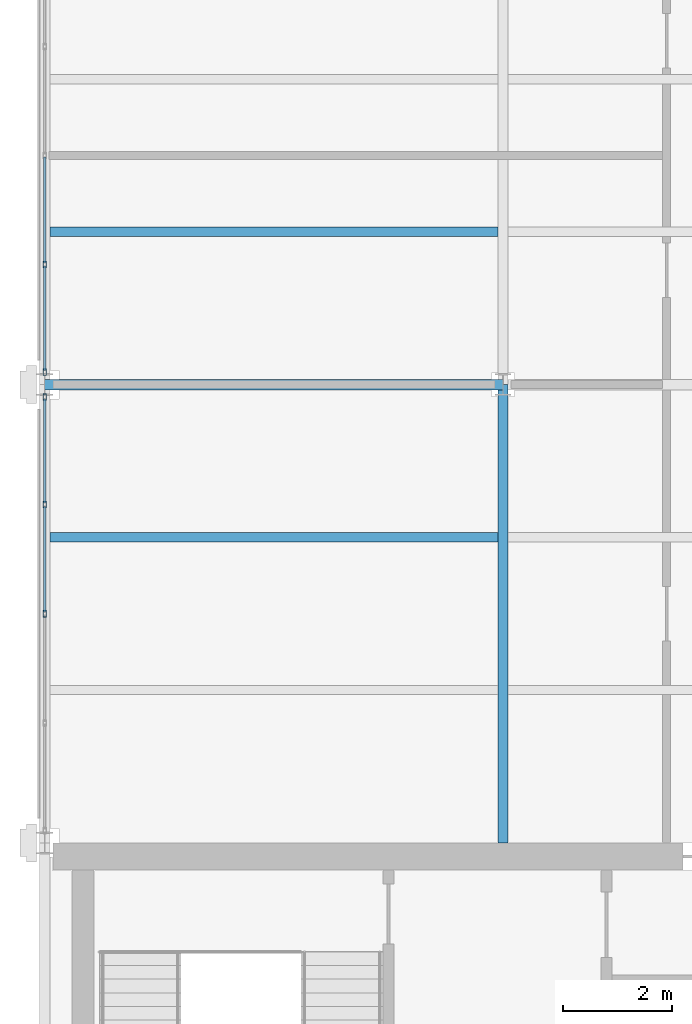
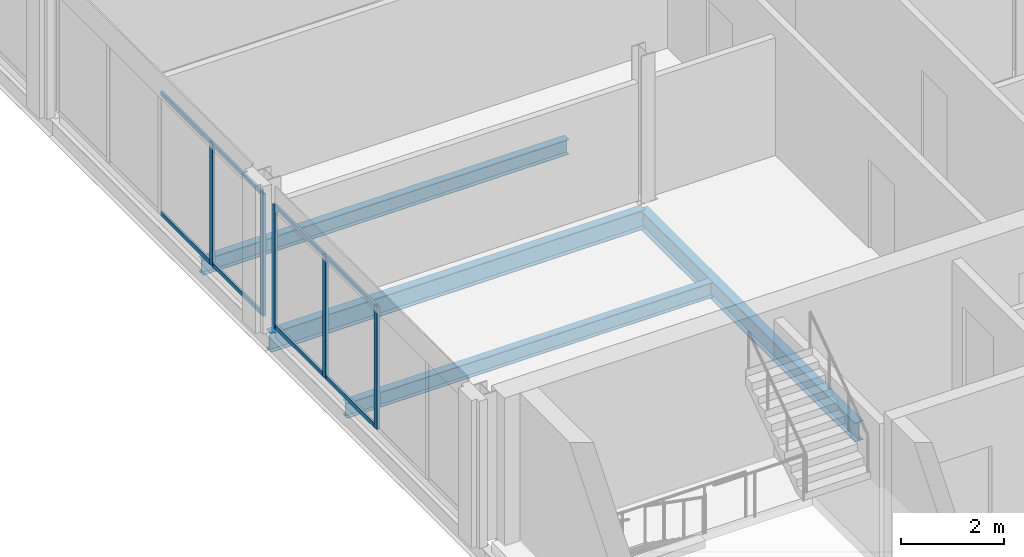
# One storey, part 6 of 32: 13 members, 4 beams, 2 elements without a shape of their own.
"""IFC4 building model written with IfcOpenShell, lengths in metres."""

import ifcopenshell
import ifcopenshell.guid

model = None  # the IFC model being written
_history = None  # IfcOwnerHistory: only IFC2X3 demands one
_inside = {}  # id of a spatial element -> (the spatial element, [elements in it])
_under = {}  # id of a project, library or spatial element -> (it, [spatial elements below it])
_declared = {}  # id of a project -> (the project, [libraries it declares])
_typed = {}  # id of a type object -> (the type object, [elements of that type])
_made_of = {}  # id of a material, layer set ... -> (it, [elements and type objects made of it])


def new_model(schema):
    """Start an empty IFC model of exactly this schema.

    Asked for "IFC4X3", IfcOpenShell would pick the latest addendum, in which some entities
    have other attributes; the version numbers below select the first issue.
    IFC2X3 requires an IfcOwnerHistory on every rooted entity: one is made here for all.
    """
    global model, _history
    if schema == "IFC4X3":
        model = ifcopenshell.file(schema_version=(4, 3, 0, 0))
    else:
        model = ifcopenshell.file(schema=schema)
    _inside.clear()
    _under.clear()
    _declared.clear()
    _typed.clear()
    _made_of.clear()
    _history = None
    if model.schema == "IFC2X3":
        org = make("IfcOrganization", Name="unknown")
        user = make(
            "IfcPersonAndOrganization",
            ThePerson=make("IfcPerson", FamilyName="unknown"),
            TheOrganization=org,
        )
        app = make(
            "IfcApplication",
            ApplicationDeveloper=org,
            Version="unknown",
            ApplicationFullName="unknown",
            ApplicationIdentifier="unknown",
        )
        _history = make(
            "IfcOwnerHistory",
            OwningUser=user,
            OwningApplication=app,
            ChangeAction="ADDED",
            CreationDate=0,
        )
    return model


def make(cls, **values):
    """One entity of the class cls with the attributes given. An attribute that is None is left unset."""
    return model.create_entity(
        cls, **{name: value for name, value in values.items() if value is not None}
    )


def rooted(cls, **values):
    """An entity with a GlobalId (a new one), such as an element, a storey or a relation."""
    return make(cls, GlobalId=ifcopenshell.guid.new(), OwnerHistory=_history, **values)


def si_unit(unit_type, name, prefix=None):
    """IfcSIUnit, for example si_unit("LENGTHUNIT", "METRE", prefix="MILLI")."""
    return make("IfcSIUnit", UnitType=unit_type, Prefix=prefix, Name=name)


def assignment(units):
    """IfcUnitAssignment: the units of a project."""
    return None if units is None else make("IfcUnitAssignment", Units=units)


def point(xyz):
    """IfcCartesianPoint."""
    return None if xyz is None else make("IfcCartesianPoint", Coordinates=xyz)


def direction(xyz):
    """IfcDirection."""
    return None if xyz is None else make("IfcDirection", DirectionRatios=xyz)


def frame(location, z_axis=None, x_axis=None):
    """IfcAxis2Placement3D, a coordinate frame: its origin and axes. An axis left out is left unset."""
    return make(
        "IfcAxis2Placement3D",
        Location=point(location),
        Axis=direction(z_axis),
        RefDirection=direction(x_axis),
    )


def frame_2d(location, x_axis=None):
    """IfcAxis2Placement2D, a coordinate frame in the plane: its origin and x axis."""
    return make(
        "IfcAxis2Placement2D", Location=point(location), RefDirection=direction(x_axis)
    )


def origin():
    """The frame at (0, 0, 0) with its axes left unset."""
    return frame((0.0, 0.0, 0.0))


def origin_2d():
    """The frame at (0, 0) in the plane with its x axis left unset."""
    return frame_2d((0.0, 0.0))


def place(relative_to, where):
    """IfcLocalPlacement: puts the frame where relative to a parent placement (None: the world)."""
    return make(
        "IfcLocalPlacement", PlacementRelTo=relative_to, RelativePlacement=where
    )


def context(
    kind, dimensions, precision=None, world=None, true_north=None, identifier=None
):
    """IfcGeometricRepresentationContext, for example the 3D "Model" context."""
    return make(
        "IfcGeometricRepresentationContext",
        ContextIdentifier=identifier,
        ContextType=kind,
        CoordinateSpaceDimension=dimensions,
        Precision=precision,
        WorldCoordinateSystem=world,
        TrueNorth=true_north,
    )


def subcontext(parent, identifier, kind, view, scale=None):
    """IfcGeometricRepresentationSubContext, for example "Body" below "Model"."""
    return make(
        "IfcGeometricRepresentationSubContext",
        ContextIdentifier=identifier,
        ContextType=kind,
        ParentContext=parent,
        TargetScale=scale,
        TargetView=view,
    )


def project(units=None, contexts=None):
    """IfcProject with its units and contexts."""
    return rooted(
        "IfcProject",
        Name="project",
        RepresentationContexts=contexts,
        UnitsInContext=assignment(units),
    )


def spatial(cls, under=None, at=None, **own):
    """A site, building, storey or space (cls), placed at a placement, below another one or the project."""
    s = rooted(cls, ObjectPlacement=at, **own)
    if under is not None:
        _under.setdefault(under.id(), (under, []))[1].append(s)
    return s


def profile(cls, at=None, kind="AREA", **sizes):
    """A parametric profile (cls). Its sizes go by their IFC names, for example OverallWidth=200.0."""
    return make(cls, ProfileType=kind, Position=at, **sizes)


def hollow_rectangle(**sizes):
    """IfcRectangleHollowProfileDef."""
    return profile("IfcRectangleHollowProfileDef", **sizes)


def i_section(**sizes):
    """IfcIShapeProfileDef."""
    return profile("IfcIShapeProfileDef", **sizes)


def extrude(swept, where, along, depth):
    """IfcExtrudedAreaSolid: the profile swept, set in the frame where, extruded along a direction by depth."""
    return make(
        "IfcExtrudedAreaSolid",
        SweptArea=swept,
        Position=where,
        ExtrudedDirection=direction(along),
        Depth=depth,
    )


def shape(context_of_items, identifier, shape_type, items):
    """IfcShapeRepresentation: the items that make up one representation, for example the "Body"."""
    return make(
        "IfcShapeRepresentation",
        ContextOfItems=context_of_items,
        RepresentationIdentifier=identifier,
        RepresentationType=shape_type,
        Items=items,
    )


def material(Name=None, Category=None):
    """IfcMaterial."""
    return make("IfcMaterial", Name=Name, Category=Category)


def material_profile(
    of_material, cross_section, Name=None, Category=None, Priority=None
):
    """IfcMaterialProfile: a cross section and its material."""
    return make(
        "IfcMaterialProfile",
        Name=Name,
        Material=of_material,
        Profile=cross_section,
        Priority=Priority,
        Category=Category,
    )


def profile_set(profiles, Name=None, composite=None):
    """IfcMaterialProfileSet."""
    return make(
        "IfcMaterialProfileSet",
        Name=Name,
        MaterialProfiles=profiles,
        CompositeProfile=composite,
    )


def made_of(thing, what):
    """Note that an element or type object is made of a material, layer set ...; save() writes the relation."""
    if what is not None:
        _made_of.setdefault(what.id(), (what, []))[1].append(thing)
    return thing


def type_object(cls, material=None, **own):
    """A type object (cls), such as IfcWallType, which elements share."""
    return made_of(rooted(cls, **own), material)


def element(
    cls,
    number,
    at=None,
    inside=None,
    cuts=None,
    type_object=None,
    material=None,
    context=None,
    identifier="Body",
    shape_type=None,
    held_by="IfcProductDefinitionShape",
    body=None,
    shapes=None,
    **own,
):
    """One element of the class cls, such as IfcWall. Its Tag is "e" and its number.

    at: its placement. inside: the storey or other place that contains it. cuts: it is an
    opening in that element (IfcRelVoidsElement). A single representation is given by context,
    identifier, shape_type and body (its items); several are given by shapes. held_by: the class
    of the entity that holds the representations. save() writes the other relations.
    """
    e = rooted(cls, Tag="e%d" % number, ObjectPlacement=at, **own)
    if body is not None:
        shapes = [shape(context, identifier, shape_type, body)]
    if shapes is not None:
        e.Representation = make(held_by, Representations=shapes)
    if inside is not None:
        _inside.setdefault(inside.id(), (inside, []))[1].append(e)
    if cuts is not None:
        rooted(
            "IfcRelVoidsElement", RelatingBuildingElement=cuts, RelatedOpeningElement=e
        )
    if type_object is not None:
        _typed.setdefault(type_object.id(), (type_object, []))[1].append(e)
    return made_of(e, material)


def aggregate(whole, parts):
    """IfcRelAggregates: a whole, such as a stair, and the parts it consists of."""
    return rooted("IfcRelAggregates", RelatingObject=whole, RelatedObjects=parts)


def save(model, path):
    """Write the relations noted so far, then the file.

    IfcRelAggregates (storeys below a building ...), IfcRelContainedInSpatialStructure (elements
    in a storey), IfcRelDefinesByType, IfcRelAssociatesMaterial and IfcRelDeclares: one each for
    every whole, place, type object, material and project.
    """
    for whole, parts in _under.values():
        aggregate(whole, parts)
    for where, things in _inside.values():
        rooted(
            "IfcRelContainedInSpatialStructure",
            RelatedElements=things,
            RelatingStructure=where,
        )
    for kind, things in _typed.values():
        rooted("IfcRelDefinesByType", RelatedObjects=things, RelatingType=kind)
    for what, things in _made_of.values():
        rooted("IfcRelAssociatesMaterial", RelatedObjects=things, RelatingMaterial=what)
    for by, libraries in _declared.values():
        rooted("IfcRelDeclares", RelatingContext=by, RelatedDefinitions=libraries)
    model.write(path)


model = new_model("IFC4")

# Units and contexts
model_context = context("Model", 3, precision=1e-05, world=origin(), true_north=direction((0.0, 1.0)))
body_context = subcontext(model_context, "Body", "Model", "MODEL_VIEW")
ifc_project = project(units=[si_unit("LENGTHUNIT", "METRE"), si_unit("AREAUNIT", "SQUARE_METRE"), si_unit("VOLUMEUNIT", "CUBIC_METRE"), si_unit("PLANEANGLEUNIT", "RADIAN"), si_unit("MASSUNIT", "GRAM", prefix="KILO")], contexts=[model_context])

# Site, building, storey
site_placement = place(None, origin())
site = spatial("IfcSite", under=ifc_project, at=site_placement, CompositionType="ELEMENT")
building_placement = place(site_placement, origin())
building = spatial("IfcBuilding", under=site, at=building_placement, Name="Catenary Quay Ferry Terminal", CompositionType="ELEMENT")
storey_placement = place(building_placement, frame((0.0, 0.0, 17.10009765625)))
storey = spatial("IfcBuildingStorey", under=building, at=storey_placement, Name="L03", CompositionType="ELEMENT", Elevation=17.10009765625)

# Beams
ifc_material_1 = material(Name="Steel S355", Category="steel")
ifc_material_profile_1 = material_profile(ifc_material_1, i_section(OverallWidth=0.18994140625, OverallDepth=0.453369140625, WebThickness=0.008544921875, FlangeThickness=0.0126953125, at=origin_2d()), Name="UB 457x191x67")
ifc_profile_set_1 = profile_set([ifc_material_profile_1], Name="Steel S355")
beam_type_1 = type_object("IfcBeamType", Name="B1 UB 457x191x67", PredefinedType="BEAM", material=ifc_profile_set_1)
beam_1_placement = place(storey_placement, frame((25.199951171875, 176.39990234375, -0.47705078125), z_axis=(1.0, 0.0, 0.0), x_axis=(0.0, 1.0, 0.0)))
element("IfcBeam", 1, at=beam_1_placement, inside=storey, type_object=beam_type_1, Name="Beam B1-001", PredefinedType="BEAM", context=body_context, shape_type="SweptSolid", body=[
    extrude(i_section(OverallWidth=0.18994140625, OverallDepth=0.453369140625, WebThickness=0.008544921875, FlangeThickness=0.0126953125, at=origin_2d()), origin(), (0.0, 0.0, 1.0), 8.400146484375),
])
beam_2_placement = place(storey_placement, frame((33.60009765625, 168.0, -0.47705078125), z_axis=(0.0, 1.0, 0.0), x_axis=(-1.0, 0.0, 0.0)))
element("IfcBeam", 2, at=beam_2_placement, inside=storey, type_object=beam_type_1, Name="Beam B1-022", PredefinedType="BEAM", context=body_context, shape_type="SweptSolid", body=[
    extrude(i_section(OverallWidth=0.18994140625, OverallDepth=0.453369140625, WebThickness=0.008544921875, FlangeThickness=0.0126953125, at=origin_2d()), origin(), (0.0, 0.0, 1.0), 8.39990234375),
])
ifc_material_2 = material(Name="Steel S355", Category="steel")
ifc_material_profile_2 = material_profile(ifc_material_2, i_section(OverallWidth=0.169921875, OverallDepth=0.360107421875, WebThickness=0.008056640625, FlangeThickness=0.0126953125, at=origin_2d()), Name="IPE 360")
ifc_profile_set_2 = profile_set([ifc_material_profile_2], Name="Steel S355")
beam_type_2 = type_object("IfcBeamType", Name="B7 IPE 360", PredefinedType="BEAM", material=ifc_profile_set_2)
for number, where, z_axis, x_axis, name in (
    (3, (25.294921875, 173.60009765625, -0.43017578125), (1.0, 0.0, 0.0), (0.0, 1.0, 0.0), "Beam B7-028"),
    (4, (25.294921875, 179.199951171875, -0.43017578125), (1.0, 0.0, 0.0), (0.0, 1.0, 0.0), "Beam B7-031"),
):
    element("IfcBeam", number, at=place(storey_placement, frame(where, z_axis=z_axis, x_axis=x_axis)), inside=storey, type_object=beam_type_2, Name=name, PredefinedType="BEAM", context=body_context, shape_type="SweptSolid", body=[
        extrude(i_section(OverallWidth=0.169921875, OverallDepth=0.360107421875, WebThickness=0.008056640625, FlangeThickness=0.0126953125, at=origin_2d()), origin(), (0.0, 0.0, 1.0), 8.2099609375),
    ])

# Curtain wall, members
ifc_material_3 = material(Name="Aluminium and glass", Category="aluminium")
curtain_wall_type = type_object("IfcCurtainWallType", Name="CWW3", PredefinedType="NOTDEFINED", material=ifc_material_3)
curtain_wall_1_placement = place(storey_placement, origin())
curtain_wall_1 = element("IfcCurtainWall", 5, at=curtain_wall_1_placement, inside=storey, type_object=curtain_wall_type, Name="Wing curtain wall CW150", PredefinedType="NOTDEFINED")
ifc_material_4 = material(Name="Aluminium", Category="aluminium")
ifc_material_profile_3 = material_profile(ifc_material_4, hollow_rectangle(XDim=0.06005859375, YDim=0.1201171875, WallThickness=0.0048828125, at=origin_2d()), Name="MU4")
ifc_profile_set_3 = profile_set([ifc_material_profile_3], Name="Aluminium")
member_type_1 = type_object("IfcMemberType", Name="MU4", PredefinedType="MULLION", material=ifc_profile_set_3)
member_1_placement = place(storey_placement, frame((25.199951171875, 172.199951171875, 0.0), z_axis=(0.0, 0.0, 1.0), x_axis=(-1.0, 0.0, 0.0)))
member_1 = element("IfcMember", 6, at=member_1_placement, type_object=member_type_1, Name="CW150 mullion 3", PredefinedType="MULLION", context=body_context, shape_type="SweptSolid", body=[
    extrude(hollow_rectangle(XDim=0.06005859375, YDim=0.1201171875, WallThickness=0.0048828125, at=origin_2d()), origin(), (0.0, 0.0, 1.0), 2.89990234375),
])
member_2_placement = place(storey_placement, frame((25.199951171875, 174.199951171875, 0.0), z_axis=(0.0, 0.0, 1.0), x_axis=(-1.0, 0.0, 0.0)))
member_2 = element("IfcMember", 7, at=member_2_placement, type_object=member_type_1, Name="CW150 mullion 4", PredefinedType="MULLION", context=body_context, shape_type="SweptSolid", body=[
    extrude(hollow_rectangle(XDim=0.06005859375, YDim=0.1201171875, WallThickness=0.0048828125, at=origin_2d()), origin(), (0.0, 0.0, 1.0), 2.89990234375),
])
member_3_placement = place(storey_placement, frame((25.199951171875, 176.169921875, 0.0), z_axis=(0.0, 0.0, 1.0), x_axis=(-1.0, 0.0, 0.0)))
member_3 = element("IfcMember", 8, at=member_3_placement, type_object=member_type_1, Name="CW150 mullion 5", PredefinedType="MULLION", context=body_context, shape_type="SweptSolid", body=[
    extrude(hollow_rectangle(XDim=0.06005859375, YDim=0.1201171875, WallThickness=0.0048828125, at=origin_2d()), origin(), (0.0, 0.0, 1.0), 2.89990234375),
])

curtain_wall_2_placement = place(storey_placement, origin())
curtain_wall_2 = element("IfcCurtainWall", 9, at=curtain_wall_2_placement, inside=storey, type_object=curtain_wall_type, Name="Wing curtain wall CW151", PredefinedType="NOTDEFINED")
member_4_placement = place(storey_placement, frame((25.199951171875, 176.6298828125, 0.0), z_axis=(0.0, 0.0, 1.0), x_axis=(-1.0, 0.0, 0.0)))
member_4 = element("IfcMember", 10, at=member_4_placement, type_object=member_type_1, Name="CW151 mullion 1", PredefinedType="MULLION", context=body_context, shape_type="SweptSolid", body=[
    extrude(hollow_rectangle(XDim=0.06005859375, YDim=0.1201171875, WallThickness=0.0048828125, at=origin_2d()), origin(), (0.0, 0.0, 1.0), 2.89990234375),
])
member_5_placement = place(storey_placement, frame((25.199951171875, 178.60009765625, 0.0), z_axis=(0.0, 0.0, 1.0), x_axis=(-1.0, 0.0, 0.0)))
member_5 = element("IfcMember", 11, at=member_5_placement, type_object=member_type_1, Name="CW151 mullion 2", PredefinedType="MULLION", context=body_context, shape_type="SweptSolid", body=[
    extrude(hollow_rectangle(XDim=0.06005859375, YDim=0.1201171875, WallThickness=0.0048828125, at=origin_2d()), origin(), (0.0, 0.0, 1.0), 2.89990234375),
])

# Member
ifc_material_5 = material(Name="Aluminium", Category="aluminium")
ifc_material_profile_4 = material_profile(ifc_material_5, hollow_rectangle(XDim=0.050048828125, YDim=0.10009765625, WallThickness=0.00390625, at=origin_2d()), Name="TR4")
ifc_profile_set_4 = profile_set([ifc_material_profile_4], Name="Aluminium")
member_type_2 = type_object("IfcMemberType", Name="TR4", PredefinedType="USERDEFINED", material=ifc_profile_set_4)
member_6_placement = place(storey_placement, frame((25.199951171875, 172.22998046875, 0.02490234375), z_axis=(0.0, 1.0, 0.0), x_axis=(-1.0, 0.0, 0.0)))
member_6 = element("IfcMember", 12, at=member_6_placement, type_object=member_type_2, Name="CW150 transom 3.1", ObjectType="TRANSOM", PredefinedType="USERDEFINED", context=body_context, shape_type="SweptSolid", body=[
    extrude(hollow_rectangle(XDim=0.050048828125, YDim=0.10009765625, WallThickness=0.00390625, at=origin_2d()), origin(), (0.0, 0.0, 1.0), 1.93994140625),
])

member_7_placement = place(storey_placement, frame((25.199951171875, 172.22998046875, 2.875), z_axis=(0.0, 1.0, 0.0), x_axis=(-1.0, 0.0, 0.0)))
member_7 = element("IfcMember", 13, at=member_7_placement, type_object=member_type_2, Name="CW150 transom 3.2", ObjectType="TRANSOM", PredefinedType="USERDEFINED", context=body_context, shape_type="SweptSolid", body=[
    extrude(hollow_rectangle(XDim=0.050048828125, YDim=0.10009765625, WallThickness=0.00390625, at=origin_2d()), origin(), (0.0, 0.0, 1.0), 1.93994140625),
])

member_8_placement = place(storey_placement, frame((25.199951171875, 174.22998046875, 0.02490234375), z_axis=(0.0, 1.0, 0.0), x_axis=(-1.0, 0.0, 0.0)))
member_8 = element("IfcMember", 14, at=member_8_placement, type_object=member_type_2, Name="CW150 transom 4.1", ObjectType="TRANSOM", PredefinedType="USERDEFINED", context=body_context, shape_type="SweptSolid", body=[
    extrude(hollow_rectangle(XDim=0.050048828125, YDim=0.10009765625, WallThickness=0.00390625, at=origin_2d()), origin(), (0.0, 0.0, 1.0), 1.909912109375),
])

member_9_placement = place(storey_placement, frame((25.199951171875, 174.22998046875, 2.875), z_axis=(0.0, 1.0, 0.0), x_axis=(-1.0, 0.0, 0.0)))
member_9 = element("IfcMember", 15, at=member_9_placement, type_object=member_type_2, Name="CW150 transom 4.2", ObjectType="TRANSOM", PredefinedType="USERDEFINED", context=body_context, shape_type="SweptSolid", body=[
    extrude(hollow_rectangle(XDim=0.050048828125, YDim=0.10009765625, WallThickness=0.00390625, at=origin_2d()), origin(), (0.0, 0.0, 1.0), 1.909912109375),
])

aggregate(curtain_wall_1, [member_1, member_2, member_3, member_6, member_7, member_8, member_9])

member_10_placement = place(storey_placement, frame((25.199951171875, 176.659912109375, 0.02490234375), z_axis=(0.0, 1.0, 0.0), x_axis=(-1.0, 0.0, 0.0)))
member_10 = element("IfcMember", 16, at=member_10_placement, type_object=member_type_2, Name="CW151 transom 1.1", ObjectType="TRANSOM", PredefinedType="USERDEFINED", context=body_context, shape_type="SweptSolid", body=[
    extrude(hollow_rectangle(XDim=0.050048828125, YDim=0.10009765625, WallThickness=0.00390625, at=origin_2d()), origin(), (0.0, 0.0, 1.0), 1.91015625),
])

member_11_placement = place(storey_placement, frame((25.199951171875, 176.659912109375, 2.875), z_axis=(0.0, 1.0, 0.0), x_axis=(-1.0, 0.0, 0.0)))
member_11 = element("IfcMember", 17, at=member_11_placement, type_object=member_type_2, Name="CW151 transom 1.2", ObjectType="TRANSOM", PredefinedType="USERDEFINED", context=body_context, shape_type="SweptSolid", body=[
    extrude(hollow_rectangle(XDim=0.050048828125, YDim=0.10009765625, WallThickness=0.00390625, at=origin_2d()), origin(), (0.0, 0.0, 1.0), 1.91015625),
])

member_12_placement = place(storey_placement, frame((25.199951171875, 178.6298828125, 0.02490234375), z_axis=(0.0, 1.0, 0.0), x_axis=(-1.0, 0.0, 0.0)))
member_12 = element("IfcMember", 18, at=member_12_placement, type_object=member_type_2, Name="CW151 transom 2.1", ObjectType="TRANSOM", PredefinedType="USERDEFINED", context=body_context, shape_type="SweptSolid", body=[
    extrude(hollow_rectangle(XDim=0.050048828125, YDim=0.10009765625, WallThickness=0.00390625, at=origin_2d()), origin(), (0.0, 0.0, 1.0), 1.940185546875),
])

member_13_placement = place(storey_placement, frame((25.199951171875, 178.6298828125, 2.875), z_axis=(0.0, 1.0, 0.0), x_axis=(-1.0, 0.0, 0.0)))
member_13 = element("IfcMember", 19, at=member_13_placement, type_object=member_type_2, Name="CW151 transom 2.2", ObjectType="TRANSOM", PredefinedType="USERDEFINED", context=body_context, shape_type="SweptSolid", body=[
    extrude(hollow_rectangle(XDim=0.050048828125, YDim=0.10009765625, WallThickness=0.00390625, at=origin_2d()), origin(), (0.0, 0.0, 1.0), 1.940185546875),
])

aggregate(curtain_wall_2, [member_4, member_5, member_10, member_11, member_12, member_13])

save(model, "model.ifc")
